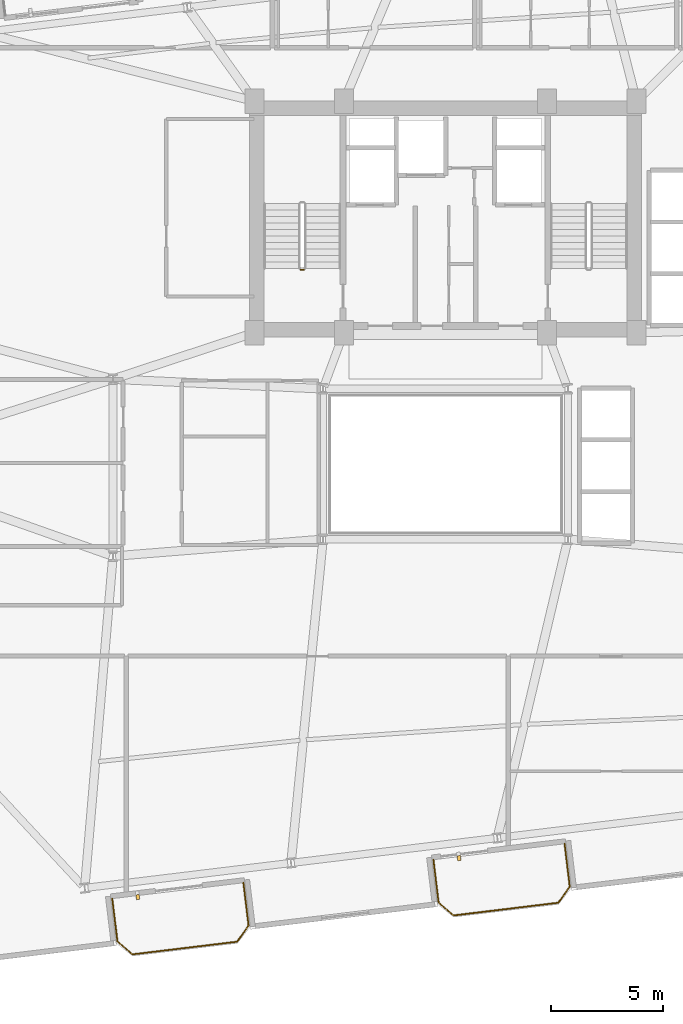
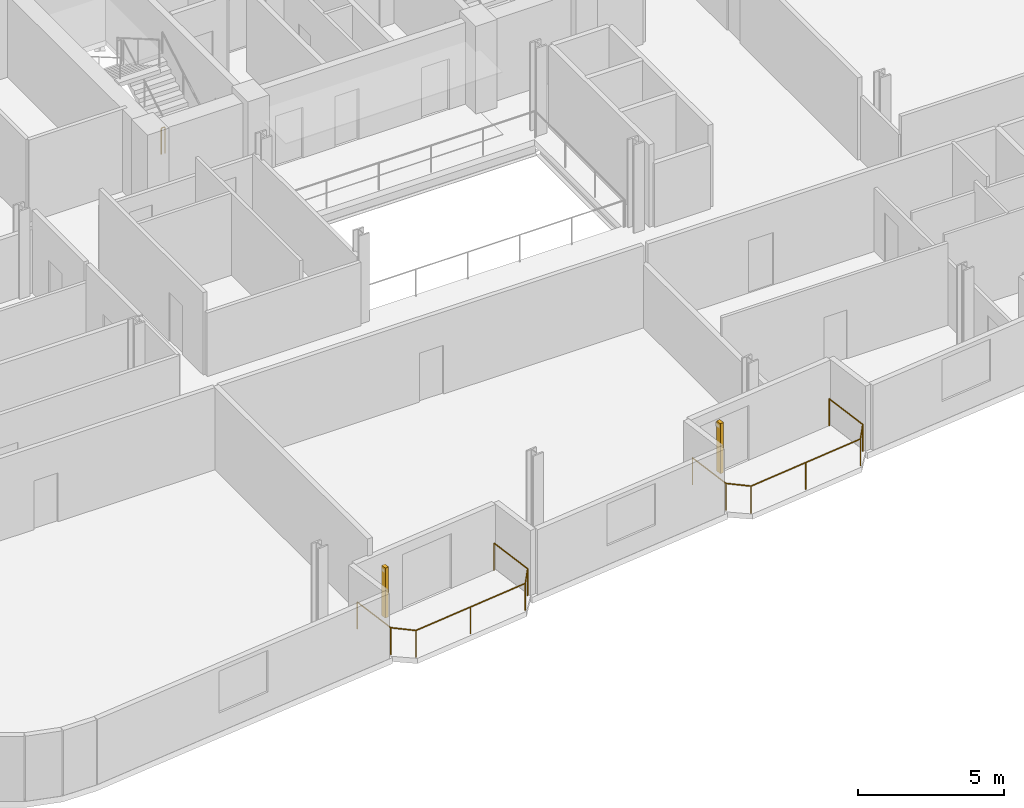
# One storey, part 19 of 22: 3 railings, 2 shading devices.
"""IFC4 building model written with IfcOpenShell, lengths in metres."""

from ifc_helpers import new_model, si_unit, direction, frame, origin, origin_2d, place, context, subcontext, project, spatial, rectangle, circle, extrude, source, transform, mapped, material, type_object, element, save


model = new_model("IFC4")

# Units and contexts
model_context = context("Model", 3, precision=1e-05, world=origin(), true_north=direction((0.0, 1.0)))
body_context = subcontext(model_context, "Body", "Model", "MODEL_VIEW")
ifc_project = project(units=[si_unit("LENGTHUNIT", "METRE"), si_unit("AREAUNIT", "SQUARE_METRE"), si_unit("VOLUMEUNIT", "CUBIC_METRE"), si_unit("PLANEANGLEUNIT", "RADIAN"), si_unit("MASSUNIT", "GRAM", prefix="KILO")], contexts=[model_context])

# Site, building, storey
site_placement = place(None, origin())
site = spatial("IfcSite", under=ifc_project, at=site_placement, CompositionType="ELEMENT")
building_placement = place(site_placement, origin())
building = spatial("IfcBuilding", under=site, at=building_placement, Name="Varnelok Gate Tower", CompositionType="ELEMENT")
storey_placement = place(building_placement, frame((0.0, 0.0, 185.699951171875)))
storey = spatial("IfcBuildingStorey", under=building, at=storey_placement, Name="L47", CompositionType="ELEMENT", Elevation=185.699951171875)

# Railings
ifc_material_1 = material(Name="Low-E Laminated Double Glazing IGU", Category="glass")
railing_type_1 = type_object("IfcRailingType", Name="RL-BALC-1150", PredefinedType="BALUSTRADE", material=ifc_material_1)
railing_1_placement = place(storey_placement, frame((24.368896484375, 3.55712890625, 0.0)))
element("IfcRailing", 1, at=railing_1_placement, inside=storey, type_object=railing_type_1, Name="L47 South Terrace Balustrade 1", PredefinedType="BALUSTRADE", context=body_context, shape_type="SweptSolid", body=[
    extrude(circle(Radius=0.02392578125, at=origin_2d()), frame((0.0, 0.0, 1.1259765625), z_axis=(0.120293392036, -0.992738384386, 0.0), x_axis=(0.992738384386, 0.120293392036, 0.0)), (0.0, 0.0, 1.0), 1.919921875),
    extrude(circle(Radius=0.02392578125, at=origin_2d()), frame((0.23095703125, -1.906005859375, 1.1259765625), z_axis=(0.756422670136, -0.654083132411, 0.0), x_axis=(0.654083132411, 0.756422670136, 0.0)), (0.0, 0.0, 1.0), 0.8779296875),
    extrude(circle(Radius=0.02392578125, at=origin_2d()), frame((0.89501953125, -2.480224609375, 1.1259765625), z_axis=(0.992736790351, 0.120306546306, 0.0), x_axis=(-0.120306546306, 0.992736790351, 0.0)), (0.0, 0.0, 1.0), 4.699951171875),
    extrude(circle(Radius=0.02392578125, at=origin_2d()), frame((5.560791015625, -1.914794921875, 1.1259765625), z_axis=(0.57815621837, 0.815926091726, 0.0), x_axis=(-0.815926091726, 0.57815621837, 0.0)), (0.0, 0.0, 1.0), 0.8779296875),
    extrude(circle(Radius=0.02392578125, at=origin_2d()), frame((6.068359375, -1.198486328125, 1.1259765625), z_axis=(-0.12040351024, 0.992725034802, 0.0), x_axis=(-0.992725034802, -0.12040351024, 0.0)), (0.0, 0.0, 1.0), 1.920166015625),
    extrude(circle(Radius=0.02099609375, at=origin_2d()), origin(), (0.0, 0.0, 1.0), 1.101806640625),
    extrude(circle(Radius=0.02099609375, at=origin_2d()), frame((0.23095703125, -1.906005859375, 0.0)), (0.0, 0.0, 1.0), 1.101806640625),
    extrude(circle(Radius=0.02099609375, at=origin_2d()), frame((0.89501953125, -2.480224609375, 0.0)), (0.0, 0.0, 1.0), 1.101806640625),
    extrude(circle(Radius=0.02099609375, at=origin_2d()), frame((3.22802734375, -2.197509765625, 0.0)), (0.0, 0.0, 1.0), 1.101806640625),
    extrude(circle(Radius=0.02099609375, at=origin_2d()), frame((5.560791015625, -1.914794921875, 0.0)), (0.0, 0.0, 1.0), 1.101806640625),
    extrude(circle(Radius=0.02099609375, at=origin_2d()), frame((6.068359375, -1.198486328125, 0.0)), (0.0, 0.0, 1.0), 1.101806640625),
    extrude(circle(Radius=0.02099609375, at=origin_2d()), frame((5.837158203125, 0.707763671875, 0.0)), (0.0, 0.0, 1.0), 1.101806640625),
])
railing_2_placement = place(storey_placement, frame((38.664306640625, 5.2900390625, 0.0)))
element("IfcRailing", 2, at=railing_2_placement, inside=storey, type_object=railing_type_1, Name="L47 South Terrace Balustrade 2", PredefinedType="BALUSTRADE", context=body_context, shape_type="SweptSolid", body=[
    extrude(circle(Radius=0.02392578125, at=origin_2d()), frame((0.0, 0.0, 1.1259765625), z_axis=(0.120293392036, -0.992738384386, 0.0), x_axis=(0.992738384386, 0.120293392036, 0.0)), (0.0, 0.0, 1.0), 1.919921875),
    extrude(circle(Radius=0.02392578125, at=origin_2d()), frame((0.23095703125, -1.906005859375, 1.1259765625), z_axis=(0.756303655992, -0.654220742513, 0.0), x_axis=(0.654220742513, 0.756303655992, 0.0)), (0.0, 0.0, 1.0), 0.877685546875),
    extrude(circle(Radius=0.02392578125, at=origin_2d()), frame((0.894775390625, -2.480224609375, 1.1259765625), z_axis=(0.99273133746, 0.120351533534, 0.0), x_axis=(-0.120351533534, 0.99273133746, 0.0)), (0.0, 0.0, 1.0), 4.7001953125),
    extrude(circle(Radius=0.02392578125, at=origin_2d()), frame((5.560791015625, -1.91455078125, 1.1259765625), z_axis=(0.577971037086, 0.816057277579, 0.0), x_axis=(-0.816057277579, 0.577971037086, 0.0)), (0.0, 0.0, 1.0), 0.877685546875),
    extrude(circle(Radius=0.02392578125, at=origin_2d()), frame((6.068115234375, -1.1982421875, 1.1259765625), z_axis=(-0.120293392036, 0.992738384386, 0.0), x_axis=(-0.992738384386, -0.120293392036, 0.0)), (0.0, 0.0, 1.0), 1.919921875),
    extrude(circle(Radius=0.02099609375, at=origin_2d()), origin(), (0.0, 0.0, 1.0), 1.101806640625),
    extrude(circle(Radius=0.02099609375, at=origin_2d()), frame((0.23095703125, -1.906005859375, 0.0)), (0.0, 0.0, 1.0), 1.101806640625),
    extrude(circle(Radius=0.02099609375, at=origin_2d()), frame((0.894775390625, -2.480224609375, 0.0)), (0.0, 0.0, 1.0), 1.101806640625),
    extrude(circle(Radius=0.02099609375, at=origin_2d()), frame((3.227783203125, -2.197265625, 0.0)), (0.0, 0.0, 1.0), 1.101806640625),
    extrude(circle(Radius=0.02099609375, at=origin_2d()), frame((5.560791015625, -1.91455078125, 0.0)), (0.0, 0.0, 1.0), 1.101806640625),
    extrude(circle(Radius=0.02099609375, at=origin_2d()), frame((6.068115234375, -1.1982421875, 0.0)), (0.0, 0.0, 1.0), 1.101806640625),
    extrude(circle(Radius=0.02099609375, at=origin_2d()), frame((5.837158203125, 0.707763671875, 0.0)), (0.0, 0.0, 1.0), 1.101806640625),
])
ifc_material_2 = material(Name="Galvanized Steel Grade S350GD", Category="steel")
railing_type_2 = type_object("IfcRailingType", Name="RL-STAIR-GUARD1120", PredefinedType="GUARDRAIL", material=ifc_material_2)
railing_3_placement = place(storey_placement, frame((32.89990234375, 31.550048828125, 0.0)))
element("IfcRailing", 3, at=railing_3_placement, inside=storey, type_object=railing_type_2, Name="L47 ST-1 stair guard 4", PredefinedType="GUARDRAIL", context=body_context, shape_type="SweptSolid", body=[
    extrude(circle(Radius=0.02392578125, at=origin_2d()), frame((0.0, 0.0, 1.09619140625), z_axis=(-1.0, 0.0, 0.0), x_axis=(0.0, -1.0, 0.0)), (0.0, 0.0, 1.0), 0.14990234375),
    extrude(circle(Radius=0.02099609375, at=origin_2d()), origin(), (0.0, 0.0, 1.0), 1.072021484375),
    extrude(circle(Radius=0.02099609375, at=origin_2d()), frame((-0.14990234375, 0.0, 0.0)), (0.0, 0.0, 1.0), 1.072021484375),
])

# Shading devices
ifc_material_3 = material(Name="Glazed Architectural Terracotta Ceramic", Category="masonry")
shading_device_type = type_object("IfcShadingDeviceType", Name="SHD-TERRA-FIN", PredefinedType="USERDEFINED", material=ifc_material_3)
shared_shape = source(origin(), body_context, "Body", "SweptSolid", [
    extrude(rectangle(XDim=0.139892578125, YDim=0.219970703125, at=origin_2d()), origin(), (0.0, 0.0, 1.0), 2.10009765625),
])
for number, where, z_axis, x_axis, name in (
    (4, (25.509033203125, 3.624755859375, 0.10009765625), (0.0, 0.0, 1.0), (0.992732158755, 0.12034475881, 0.0), "L47 Terracotta Ceramic Baguette Sunscreen 1.1"),
    (5, (39.80419921875, 5.35791015625, 0.10009765625), (0.0, 0.0, 1.0), (0.992732158755, 0.12034475881, 0.0), "L47 Terracotta Ceramic Baguette Sunscreen 2.1"),
):
    element("IfcShadingDevice", number, at=place(storey_placement, frame(where, z_axis=z_axis, x_axis=x_axis)), inside=storey, type_object=shading_device_type, Name=name, ObjectType="BAGUETTE", PredefinedType="USERDEFINED", context=body_context, shape_type="MappedRepresentation", body=[
        mapped(shared_shape, transform((0.0, 0.0, 0.0), scale=1.0)),
    ])

save(model, "model.ifc")
